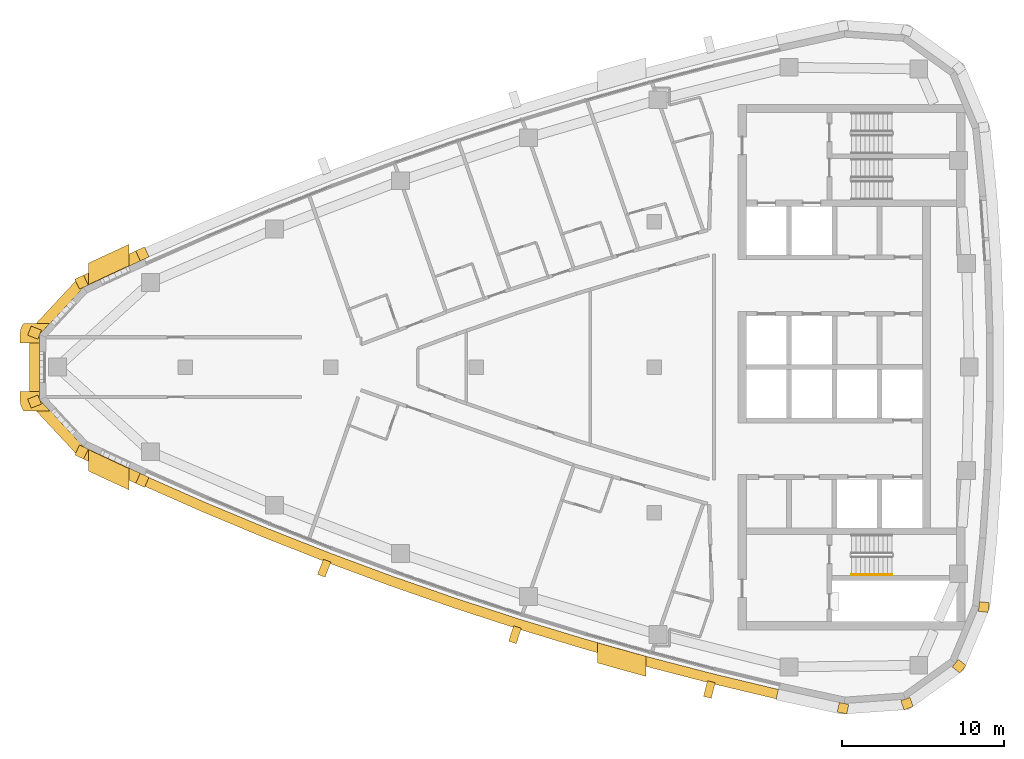
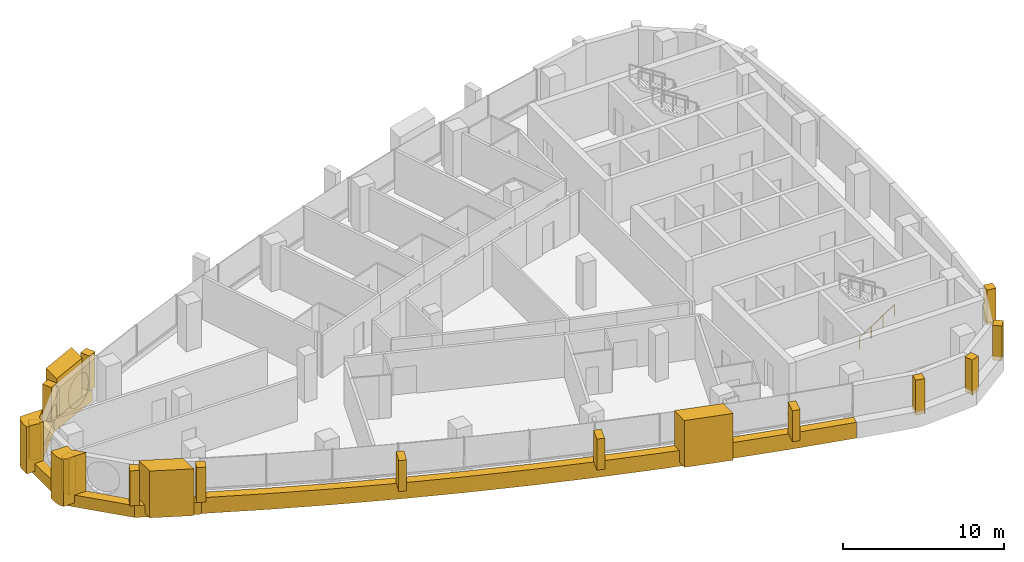
# One storey, part 11 of 14: 20 coverings, 1 railing.
"""IFC4 building model written with IfcOpenShell, lengths in metres."""

import ifcopenshell
import ifcopenshell.guid

model = None  # the IFC model being written
_history = None  # IfcOwnerHistory: only IFC2X3 demands one
_inside = {}  # id of a spatial element -> (the spatial element, [elements in it])
_under = {}  # id of a project, library or spatial element -> (it, [spatial elements below it])
_declared = {}  # id of a project -> (the project, [libraries it declares])
_typed = {}  # id of a type object -> (the type object, [elements of that type])
_made_of = {}  # id of a material, layer set ... -> (it, [elements and type objects made of it])


def new_model(schema):
    """Start an empty IFC model of exactly this schema.

    Asked for "IFC4X3", IfcOpenShell would pick the latest addendum, in which some entities
    have other attributes; the version numbers below select the first issue.
    IFC2X3 requires an IfcOwnerHistory on every rooted entity: one is made here for all.
    """
    global model, _history
    if schema == "IFC4X3":
        model = ifcopenshell.file(schema_version=(4, 3, 0, 0))
    else:
        model = ifcopenshell.file(schema=schema)
    _inside.clear()
    _under.clear()
    _declared.clear()
    _typed.clear()
    _made_of.clear()
    _history = None
    if model.schema == "IFC2X3":
        org = make("IfcOrganization", Name="unknown")
        user = make(
            "IfcPersonAndOrganization",
            ThePerson=make("IfcPerson", FamilyName="unknown"),
            TheOrganization=org,
        )
        app = make(
            "IfcApplication",
            ApplicationDeveloper=org,
            Version="unknown",
            ApplicationFullName="unknown",
            ApplicationIdentifier="unknown",
        )
        _history = make(
            "IfcOwnerHistory",
            OwningUser=user,
            OwningApplication=app,
            ChangeAction="ADDED",
            CreationDate=0,
        )
    return model


def make(cls, **values):
    """One entity of the class cls with the attributes given. An attribute that is None is left unset."""
    return model.create_entity(
        cls, **{name: value for name, value in values.items() if value is not None}
    )


def rooted(cls, **values):
    """An entity with a GlobalId (a new one), such as an element, a storey or a relation."""
    return make(cls, GlobalId=ifcopenshell.guid.new(), OwnerHistory=_history, **values)


def si_unit(unit_type, name, prefix=None):
    """IfcSIUnit, for example si_unit("LENGTHUNIT", "METRE", prefix="MILLI")."""
    return make("IfcSIUnit", UnitType=unit_type, Prefix=prefix, Name=name)


def assignment(units):
    """IfcUnitAssignment: the units of a project."""
    return None if units is None else make("IfcUnitAssignment", Units=units)


def point(xyz):
    """IfcCartesianPoint."""
    return None if xyz is None else make("IfcCartesianPoint", Coordinates=xyz)


def direction(xyz):
    """IfcDirection."""
    return None if xyz is None else make("IfcDirection", DirectionRatios=xyz)


def frame(location, z_axis=None, x_axis=None):
    """IfcAxis2Placement3D, a coordinate frame: its origin and axes. An axis left out is left unset."""
    return make(
        "IfcAxis2Placement3D",
        Location=point(location),
        Axis=direction(z_axis),
        RefDirection=direction(x_axis),
    )


def frame_2d(location, x_axis=None):
    """IfcAxis2Placement2D, a coordinate frame in the plane: its origin and x axis."""
    return make(
        "IfcAxis2Placement2D", Location=point(location), RefDirection=direction(x_axis)
    )


def origin():
    """The frame at (0, 0, 0) with its axes left unset."""
    return frame((0.0, 0.0, 0.0))


def origin_2d():
    """The frame at (0, 0) in the plane with its x axis left unset."""
    return frame_2d((0.0, 0.0))


def place(relative_to, where):
    """IfcLocalPlacement: puts the frame where relative to a parent placement (None: the world)."""
    return make(
        "IfcLocalPlacement", PlacementRelTo=relative_to, RelativePlacement=where
    )


def context(
    kind, dimensions, precision=None, world=None, true_north=None, identifier=None
):
    """IfcGeometricRepresentationContext, for example the 3D "Model" context."""
    return make(
        "IfcGeometricRepresentationContext",
        ContextIdentifier=identifier,
        ContextType=kind,
        CoordinateSpaceDimension=dimensions,
        Precision=precision,
        WorldCoordinateSystem=world,
        TrueNorth=true_north,
    )


def subcontext(parent, identifier, kind, view, scale=None):
    """IfcGeometricRepresentationSubContext, for example "Body" below "Model"."""
    return make(
        "IfcGeometricRepresentationSubContext",
        ContextIdentifier=identifier,
        ContextType=kind,
        ParentContext=parent,
        TargetScale=scale,
        TargetView=view,
    )


def project(units=None, contexts=None):
    """IfcProject with its units and contexts."""
    return rooted(
        "IfcProject",
        Name="project",
        RepresentationContexts=contexts,
        UnitsInContext=assignment(units),
    )


def spatial(cls, under=None, at=None, **own):
    """A site, building, storey or space (cls), placed at a placement, below another one or the project."""
    s = rooted(cls, ObjectPlacement=at, **own)
    if under is not None:
        _under.setdefault(under.id(), (under, []))[1].append(s)
    return s


def polyline(points):
    """IfcPolyline through the points."""
    return make("IfcPolyline", Points=[point(p) for p in points])


def profile(cls, at=None, kind="AREA", **sizes):
    """A parametric profile (cls). Its sizes go by their IFC names, for example OverallWidth=200.0."""
    return make(cls, ProfileType=kind, Position=at, **sizes)


def rectangle(**sizes):
    """IfcRectangleProfileDef."""
    return profile("IfcRectangleProfileDef", **sizes)


def circle(**sizes):
    """IfcCircleProfileDef."""
    return profile("IfcCircleProfileDef", **sizes)


def outline(outer, holes=None, kind="AREA"):
    """IfcArbitraryClosedProfileDef: a profile drawn as a closed curve; with holes, ...WithVoids."""
    if holes is None:
        return make("IfcArbitraryClosedProfileDef", ProfileType=kind, OuterCurve=outer)
    return make(
        "IfcArbitraryProfileDefWithVoids",
        ProfileType=kind,
        OuterCurve=outer,
        InnerCurves=holes,
    )


def extrude(swept, where, along, depth):
    """IfcExtrudedAreaSolid: the profile swept, set in the frame where, extruded along a direction by depth."""
    return make(
        "IfcExtrudedAreaSolid",
        SweptArea=swept,
        Position=where,
        ExtrudedDirection=direction(along),
        Depth=depth,
    )


def shape(context_of_items, identifier, shape_type, items):
    """IfcShapeRepresentation: the items that make up one representation, for example the "Body"."""
    return make(
        "IfcShapeRepresentation",
        ContextOfItems=context_of_items,
        RepresentationIdentifier=identifier,
        RepresentationType=shape_type,
        Items=items,
    )


def material(Name=None, Category=None):
    """IfcMaterial."""
    return make("IfcMaterial", Name=Name, Category=Category)


def layer(
    of_material, thickness, ventilated=None, Name=None, Category=None, Priority=None
):
    """IfcMaterialLayer: one layer of a wall or slab, of a material (None: an air gap)."""
    return make(
        "IfcMaterialLayer",
        Material=of_material,
        LayerThickness=thickness,
        IsVentilated=ventilated,
        Name=Name,
        Category=Category,
        Priority=Priority,
    )


def layer_set(layers, Name=None):
    """IfcMaterialLayerSet."""
    return make("IfcMaterialLayerSet", MaterialLayers=layers, LayerSetName=Name)


def made_of(thing, what):
    """Note that an element or type object is made of a material, layer set ...; save() writes the relation."""
    if what is not None:
        _made_of.setdefault(what.id(), (what, []))[1].append(thing)
    return thing


def type_object(cls, material=None, **own):
    """A type object (cls), such as IfcWallType, which elements share."""
    return made_of(rooted(cls, **own), material)


def element(
    cls,
    number,
    at=None,
    inside=None,
    cuts=None,
    type_object=None,
    material=None,
    context=None,
    identifier="Body",
    shape_type=None,
    held_by="IfcProductDefinitionShape",
    body=None,
    shapes=None,
    **own,
):
    """One element of the class cls, such as IfcWall. Its Tag is "e" and its number.

    at: its placement. inside: the storey or other place that contains it. cuts: it is an
    opening in that element (IfcRelVoidsElement). A single representation is given by context,
    identifier, shape_type and body (its items); several are given by shapes. held_by: the class
    of the entity that holds the representations. save() writes the other relations.
    """
    e = rooted(cls, Tag="e%d" % number, ObjectPlacement=at, **own)
    if body is not None:
        shapes = [shape(context, identifier, shape_type, body)]
    if shapes is not None:
        e.Representation = make(held_by, Representations=shapes)
    if inside is not None:
        _inside.setdefault(inside.id(), (inside, []))[1].append(e)
    if cuts is not None:
        rooted(
            "IfcRelVoidsElement", RelatingBuildingElement=cuts, RelatedOpeningElement=e
        )
    if type_object is not None:
        _typed.setdefault(type_object.id(), (type_object, []))[1].append(e)
    return made_of(e, material)


def aggregate(whole, parts):
    """IfcRelAggregates: a whole, such as a stair, and the parts it consists of."""
    return rooted("IfcRelAggregates", RelatingObject=whole, RelatedObjects=parts)


def save(model, path):
    """Write the relations noted so far, then the file.

    IfcRelAggregates (storeys below a building ...), IfcRelContainedInSpatialStructure (elements
    in a storey), IfcRelDefinesByType, IfcRelAssociatesMaterial and IfcRelDeclares: one each for
    every whole, place, type object, material and project.
    """
    for whole, parts in _under.values():
        aggregate(whole, parts)
    for where, things in _inside.values():
        rooted(
            "IfcRelContainedInSpatialStructure",
            RelatedElements=things,
            RelatingStructure=where,
        )
    for kind, things in _typed.values():
        rooted("IfcRelDefinesByType", RelatedObjects=things, RelatingType=kind)
    for what, things in _made_of.values():
        rooted("IfcRelAssociatesMaterial", RelatedObjects=things, RelatingMaterial=what)
    for by, libraries in _declared.values():
        rooted("IfcRelDeclares", RelatingContext=by, RelatedDefinitions=libraries)
    model.write(path)


model = new_model("IFC4")

# Units and contexts
model_context = context("Model", 3, precision=1e-05, world=origin(), true_north=direction((0.0, 1.0)))
body_context = subcontext(model_context, "Body", "Model", "MODEL_VIEW")
ifc_project = project(units=[si_unit("LENGTHUNIT", "METRE"), si_unit("AREAUNIT", "SQUARE_METRE"), si_unit("VOLUMEUNIT", "CUBIC_METRE"), si_unit("PLANEANGLEUNIT", "RADIAN"), si_unit("MASSUNIT", "GRAM", prefix="KILO")], contexts=[model_context])

# Site, building, storey
site_placement = place(None, origin())
site = spatial("IfcSite", under=ifc_project, at=site_placement, CompositionType="ELEMENT")
building_placement = place(site_placement, origin())
building = spatial("IfcBuilding", under=site, at=building_placement, Name="Ostrand Prow Hotel Tower", CompositionType="ELEMENT")
storey_placement = place(building_placement, frame((0.0, 0.0, 289.199951171875)))
storey = spatial("IfcBuildingStorey", under=building, at=storey_placement, Name="L73", CompositionType="ELEMENT", Elevation=289.199951171875)

# Coverings
ifc_material_1 = material(Name="Bronze anodised aluminium cladding", Category="aluminium")
ifc_layer_1 = layer(ifc_material_1, 0.60009765625)
ifc_layer_set_1 = layer_set([ifc_layer_1], Name="Bronze anodised aluminium cladding")
covering_type_1 = type_object("IfcCoveringType", Name="Bronze prow band 899x600", PredefinedType="CLADDING", material=ifc_layer_set_1)
covering_1_placement = place(storey_placement, frame((0.0, 0.0, -0.300048828125)))
element("IfcCovering", 1, at=covering_1_placement, inside=storey, type_object=covering_type_1, Name="Bronze prow band", PredefinedType="CLADDING", context=body_context, shape_type="SweptSolid", body=[
    extrude(outline(polyline([(13.195068359375, 7.316162109375), (9.424560546875, 5.559814453125), (6.348388671875, 2.2568359375), (6.348388671875, -2.2568359375), (9.424560546875, -5.559814453125), (13.195068359375, -7.316162109375), (13.47607421875, -6.697021484375), (9.718017578125, -4.9462890625), (6.981201171875, -2.0078125), (6.981201171875, 2.0078125), (9.718017578125, 4.9462890625), (13.47607421875, 6.697021484375), (13.195068359375, 7.316162109375)])), origin(), (0.0, 0.0, 1.0), 0.900146484375),
])
ifc_material_2 = material(Name="Bronze anodised aluminium cladding", Category="aluminium")
ifc_layer_2 = layer(ifc_material_2, 0.60009765625)
ifc_layer_set_2 = layer_set([ifc_layer_2], Name="Bronze anodised aluminium cladding")
covering_type_2 = type_object("IfcCoveringType", Name="Bronze spandrel band 1200x600", PredefinedType="CLADDING", material=ifc_layer_set_2)
covering_2_placement = place(storey_placement, frame((0.0, 0.0, -0.300048828125)))
element("IfcCovering", 2, at=covering_2_placement, inside=storey, type_object=covering_type_2, Name="Spandrel band S1", PredefinedType="CLADDING", context=body_context, shape_type="SweptSolid", body=[
    extrude(outline(polyline([(13.220947265625, -7.25927734375), (17.02490234375, -8.938720703125), (20.86181640625, -10.541748046875), (24.72998046875, -12.067138671875), (28.62841796875, -13.514404296875), (32.5546875, -14.88330078125), (36.508056640625, -16.172607421875), (40.486328125, -17.382568359375), (44.48828125, -18.51220703125), (48.51220703125, -19.56103515625), (52.55615234375, -20.52880859375), (52.68994140625, -19.94384765625), (48.65771484375, -18.97900390625), (44.6455078125, -17.93310546875), (40.6552734375, -16.806884765625), (36.6884765625, -15.6005859375), (32.74658203125, -14.314697265625), (28.83154296875, -12.949951171875), (24.944580078125, -11.5068359375), (21.08740234375, -9.98583984375), (17.26171875, -8.3876953125), (13.468994140625, -6.712890625), (13.220947265625, -7.25927734375)])), origin(), (0.0, 0.0, 1.0), 1.2001953125),
])
ifc_material_3 = material(Name="Limestone cladding", Category="masonry")
ifc_layer_3 = layer(ifc_material_3, 5.0)
ifc_layer_set_3 = layer_set([ifc_layer_3], Name="Limestone cladding")
covering_type_3 = type_object("IfcCoveringType", Name="Portal jamb pilaster limestone", PredefinedType="CLADDING", material=ifc_layer_set_3)
covering_3_placement = place(storey_placement, origin())
element("IfcCovering", 3, at=covering_3_placement, inside=storey, type_object=covering_type_3, Name="Portal jamb SA L73", PredefinedType="CLADDING", context=body_context, shape_type="SweptSolid", body=[
    extrude(outline(polyline([(10.0, -5.10009765625), (10.0, -6.428466796875), (10.833251953125, -6.8203125), (11.666748046875, -7.20751953125), (12.5, -7.590087890625), (12.5, -6.270263671875), (11.666748046875, -5.884765625), (10.833251953125, -5.494873046875), (10.0, -5.10009765625)])), origin(), (0.0, 0.0, 1.0), 3.550048828125),
])
covering_4_placement = place(storey_placement, origin())
element("IfcCovering", 4, at=covering_4_placement, inside=storey, type_object=covering_type_3, Name="Portal jamb SB L73", PredefinedType="CLADDING", context=body_context, shape_type="SweptSolid", body=[
    extrude(outline(polyline([(41.5, -17.052490234375), (41.5, -18.301025390625), (42.5, -18.585205078125), (43.5, -18.86376953125), (44.5, -19.136962890625), (44.5, -17.8935546875), (43.5, -17.61865234375), (42.5, -17.338134765625), (41.5, -17.052490234375)])), origin(), (0.0, 0.0, 1.0), 3.550048828125),
])
covering_5_placement = place(storey_placement, origin())
element("IfcCovering", 5, at=covering_5_placement, inside=storey, type_object=covering_type_3, Name="Portal jamb NA L73", PredefinedType="CLADDING", context=body_context, shape_type="SweptSolid", body=[
    extrude(outline(polyline([(10.0, 5.10009765625), (10.833251953125, 5.494873046875), (11.666748046875, 5.884765625), (12.5, 6.270263671875), (12.5, 7.590087890625), (11.666748046875, 7.20751953125), (10.833251953125, 6.8203125), (10.0, 6.428466796875), (10.0, 5.10009765625)])), origin(), (0.0, 0.0, 1.0), 3.550048828125),
])
ifc_material_4 = material(Name="Limestone cladding", Category="masonry")
ifc_layer_4 = layer(ifc_material_4, 0.5)
ifc_layer_set_4 = layer_set([ifc_layer_4], Name="Limestone cladding")
covering_type_4 = type_object("IfcCoveringType", Name="Precast stone fin 500x900", PredefinedType="CLADDING", material=ifc_layer_set_4)
covering_6_placement = place(storey_placement, frame((24.765869140625, -11.973876953125, 0.900146484375), z_axis=(0.0, 0.0, 1.0), x_axis=(-0.357456978517, -0.933929605757, 0.0)))
element("IfcCovering", 6, at=covering_6_placement, inside=storey, type_object=covering_type_4, Name="Stone fin S 4", PredefinedType="CLADDING", context=body_context, shape_type="SweptSolid", body=[
    extrude(rectangle(XDim=1.0, YDim=0.5, at=frame_2d((0.5, 0.0))), origin(), (0.0, 0.0, 1.0), 2.349853515625),
])
for number, where, z_axis, x_axis, name in (
    (7, (36.5380859375, -16.077392578125, 0.900146484375), (0.0, 0.0, 1.0), (-0.30058207316, -0.953755952692, 0.0), "Stone fin S 7"),
    (8, (48.536376953125, -19.464111328125, 0.900146484375), (0.0, 0.0, 1.0), (-0.242707978632, -0.970099395479, 0.0), "Stone fin S 10"),
):
    element("IfcCovering", number, at=place(storey_placement, frame(where, z_axis=z_axis, x_axis=x_axis)), inside=storey, type_object=covering_type_4, Name=name, PredefinedType="CLADDING", context=body_context, shape_type="SweptSolid", body=[
        extrude(rectangle(XDim=0.999755859375, YDim=0.5, at=frame_2d((0.5, 0.0))), origin(), (0.0, 0.0, 1.0), 2.349853515625),
    ])
ifc_material_5 = material(Name="Limestone cladding", Category="masonry")
ifc_layer_5 = layer(ifc_material_5, 0.60009765625)
ifc_layer_set_5 = layer_set([ifc_layer_5], Name="Limestone cladding")
covering_type_5 = type_object("IfcCoveringType", Name="Precast stone prow rib 600x600", PredefinedType="CLADDING", material=ifc_layer_set_5)
covering_7_placement = place(storey_placement, frame((13.47607421875, 6.697021484375, 0.60009765625), z_axis=(0.0, 0.0, 1.0), x_axis=(-0.413288868051, 0.910599973394, 0.0)))
element("IfcCovering", 9, at=covering_7_placement, inside=storey, type_object=covering_type_5, Name="Stone prow rib 1", PredefinedType="CLADDING", context=body_context, shape_type="SweptSolid", body=[
    extrude(rectangle(XDim=0.679931640625, YDim=0.60009765625, at=frame_2d((0.33984375, 0.0))), origin(), (0.0, 0.0, 1.0), 2.64990234375),
])
covering_8_placement = place(storey_placement, frame((9.718017578125, 4.9462890625, 0.60009765625), z_axis=(0.0, 0.0, 1.0), x_axis=(-0.431493603995, 0.902115995707, 0.0)))
element("IfcCovering", 10, at=covering_8_placement, inside=storey, type_object=covering_type_5, Name="Stone prow rib 2", PredefinedType="CLADDING", context=body_context, shape_type="SweptSolid", body=[
    extrude(rectangle(XDim=0.68017578125, YDim=0.60009765625, at=frame_2d((0.340087890625, 0.0))), origin(), (0.0, 0.0, 1.0), 2.64990234375),
])
for number, where, z_axis, x_axis, name in (
    (11, (6.981201171875, 2.0078125, 0.60009765625), (0.0, 0.0, 1.0), (-0.93054188789, 0.366185465142, 0.0), "Stone prow rib 3"),
    (12, (6.981201171875, -2.0078125, 0.60009765625), (0.0, 0.0, 1.0), (-0.93054188789, -0.366185465142, 0.0), "Stone prow rib 4"),
):
    element("IfcCovering", number, at=place(storey_placement, frame(where, z_axis=z_axis, x_axis=x_axis)), inside=storey, type_object=covering_type_5, Name=name, PredefinedType="CLADDING", context=body_context, shape_type="SweptSolid", body=[
        extrude(rectangle(XDim=0.679931640625, YDim=0.60009765625, at=frame_2d((0.33984375, 0.0))), origin(), (0.0, 0.0, 1.0), 2.64990234375),
    ])
covering_9_placement = place(storey_placement, frame((9.718017578125, -4.9462890625, 0.60009765625), z_axis=(0.0, 0.0, 1.0), x_axis=(-0.431493603995, -0.902115995707, 0.0)))
element("IfcCovering", 13, at=covering_9_placement, inside=storey, type_object=covering_type_5, Name="Stone prow rib 5", PredefinedType="CLADDING", context=body_context, shape_type="SweptSolid", body=[
    extrude(rectangle(XDim=0.68017578125, YDim=0.60009765625, at=frame_2d((0.340087890625, 0.0))), origin(), (0.0, 0.0, 1.0), 2.64990234375),
])
covering_10_placement = place(storey_placement, frame((13.47607421875, -6.697021484375, 0.60009765625), z_axis=(0.0, 0.0, 1.0), x_axis=(-0.413288868051, -0.910599973394, 0.0)))
element("IfcCovering", 14, at=covering_10_placement, inside=storey, type_object=covering_type_5, Name="Stone prow rib 6", PredefinedType="CLADDING", context=body_context, shape_type="SweptSolid", body=[
    extrude(rectangle(XDim=0.679931640625, YDim=0.60009765625, at=frame_2d((0.33984375, 0.0))), origin(), (0.0, 0.0, 1.0), 2.64990234375),
])
covering_11_placement = place(storey_placement, frame((56.744384765625, -20.810546875, 0.60009765625), z_axis=(0.0, 0.0, 1.0), x_axis=(-0.203385687349, -0.979098698897, 0.0)))
element("IfcCovering", 15, at=covering_11_placement, inside=storey, type_object=covering_type_5, Name="Stone corner rib 2a", PredefinedType="CLADDING", context=body_context, shape_type="SweptSolid", body=[
    extrude(rectangle(XDim=0.60009765625, YDim=0.60009765625, at=frame_2d((0.300048828125, 0.0))), origin(), (0.0, 0.0, 1.0), 2.64990234375),
])
for number, where, z_axis, x_axis, name in (
    (16, (60.540283203125, -20.539794921875, 0.60009765625), (0.0, 0.0, 1.0), (0.340664419472, -0.940184956966, 0.0), "Stone corner rib 3a"),
    (17, (63.630615234375, -18.318359375, 0.60009765625), (0.0, 0.0, 1.0), (0.782731736812, -0.622359243674, 0.0), "Stone corner rib 4a"),
):
    element("IfcCovering", number, at=place(storey_placement, frame(where, z_axis=z_axis, x_axis=x_axis)), inside=storey, type_object=covering_type_5, Name=name, PredefinedType="CLADDING", context=body_context, shape_type="SweptSolid", body=[
        extrude(rectangle(XDim=0.599853515625, YDim=0.60009765625, at=frame_2d((0.2998046875, 0.0))), origin(), (0.0, 0.0, 1.0), 2.64990234375),
    ])
covering_12_placement = place(storey_placement, frame((65.0966796875, -14.806396484375, 0.60009765625), z_axis=(0.0, 0.0, 1.0), x_axis=(0.992867207971, -0.119225447515, 0.0)))
element("IfcCovering", 18, at=covering_12_placement, inside=storey, type_object=covering_type_5, Name="Stone corner rib 4b", PredefinedType="CLADDING", context=body_context, shape_type="SweptSolid", body=[
    extrude(rectangle(XDim=0.60009765625, YDim=0.60009765625, at=frame_2d((0.300048828125, 0.0))), origin(), (0.0, 0.0, 1.0), 2.64990234375),
])
ifc_material_6 = material(Name="Limestone cladding", Category="masonry")
ifc_layer_6 = layer(ifc_material_6, 3.0)
ifc_layer_set_6 = layer_set([ifc_layer_6], Name="Limestone cladding")
covering_type_6 = type_object("IfcCoveringType", Name="Prow nose pier limestone", PredefinedType="CLADDING", material=ifc_layer_set_6)
covering_13_placement = place(storey_placement, origin())
element("IfcCovering", 19, at=covering_13_placement, inside=storey, type_object=covering_type_6, Name="Prow spine fin N L73", PredefinedType="CLADDING", context=body_context, shape_type="SweptSolid", body=[
    extrude(outline(polyline([(5.764892578125, 2.01416015625), (5.764892578125, 1.5), (6.96484375, 1.5), (6.96484375, 2.01416015625), (7.603515625, 2.699951171875), (5.981689453125, 2.699951171875), (5.94970703125, 2.654052734375), (5.894287109375, 2.55615234375), (5.84814453125, 2.45361328125), (5.81201171875, 2.34716796875), (5.785888671875, 2.23779296875), (5.77001953125, 2.12646484375), (5.764892578125, 2.01416015625)])), origin(), (0.0, 0.0, 1.0), 3.550048828125),
])
covering_14_placement = place(storey_placement, origin())
element("IfcCovering", 20, at=covering_14_placement, inside=storey, type_object=covering_type_6, Name="Prow spine fin S L73", PredefinedType="CLADDING", context=body_context, shape_type="SweptSolid", body=[
    extrude(outline(polyline([(5.94970703125, -2.654052734375), (5.981689453125, -2.699951171875), (7.603515625, -2.699951171875), (6.96484375, -2.01416015625), (6.96484375, -1.5), (5.764892578125, -1.5), (5.764892578125, -2.01416015625), (5.77001953125, -2.12646484375), (5.785888671875, -2.23779296875), (5.81201171875, -2.34716796875), (5.84814453125, -2.45361328125), (5.894287109375, -2.55615234375), (5.94970703125, -2.654052734375)])), origin(), (0.0, 0.0, 1.0), 3.550048828125),
])

# Railing
ifc_material_7 = material(Name="Stainless steel", Category="steel")
railing_type = type_object("IfcRailingType", Name="Stair handrail 900", PredefinedType="HANDRAIL", material=ifc_material_7)
railing_placement = place(storey_placement, frame((57.199951171875, -12.85009765625, 0.177490234375)))
element("IfcRailing", 21, at=railing_placement, inside=storey, type_object=railing_type, Name="L73 ST2C stair handrail 1", PredefinedType="HANDRAIL", context=body_context, shape_type="SweptSolid", body=[
    extrude(circle(Radius=0.02392578125, at=origin_2d()), frame((0.0, 0.0, 0.8759765625), z_axis=(0.84456994832, 0.0, 0.535445237532), x_axis=(0.0, 1.0, 0.0)), (0.0, 0.0, 1.0), 2.98388671875),
    extrude(circle(Radius=0.02099609375, at=origin_2d()), origin(), (0.0, 0.0, 1.0), 0.851806640625),
    extrude(circle(Radius=0.02099609375, at=origin_2d()), frame((0.840087890625, 0.0, 0.532470703125)), (0.0, 0.0, 1.0), 0.851806640625),
    extrude(circle(Radius=0.02099609375, at=origin_2d()), frame((1.679931640625, 0.0, 1.065185546875)), (0.0, 0.0, 1.0), 0.851806640625),
    extrude(circle(Radius=0.02099609375, at=origin_2d()), frame((2.52001953125, 0.0, 1.59765625)), (0.0, 0.0, 1.0), 0.851806640625),
])

save(model, "model.ifc")
